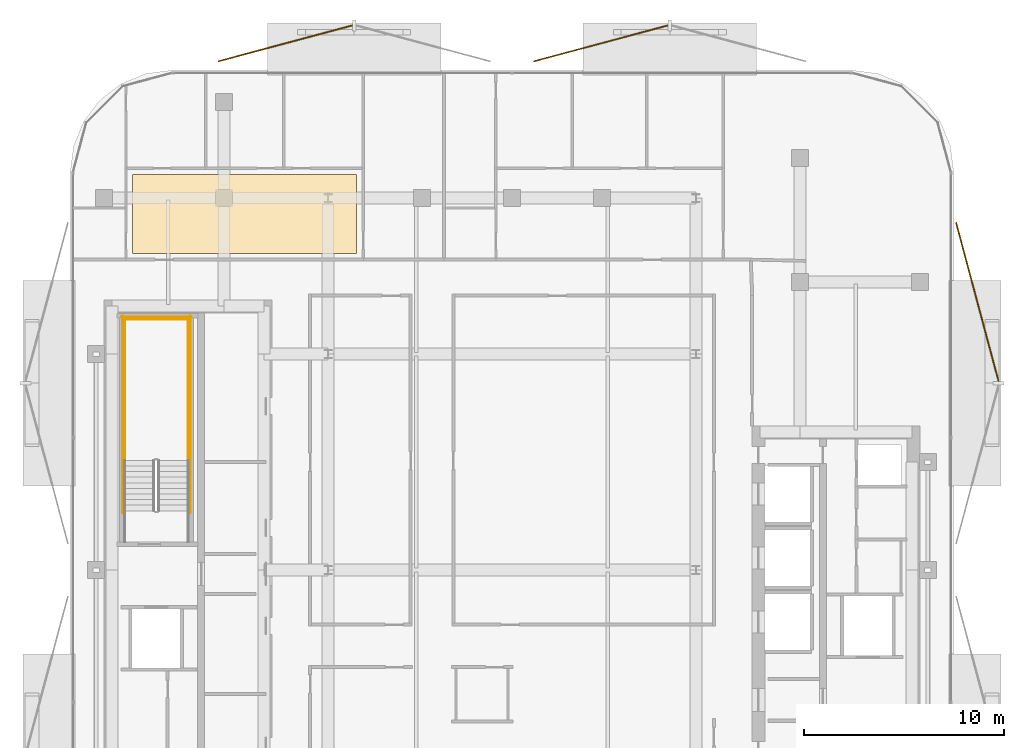
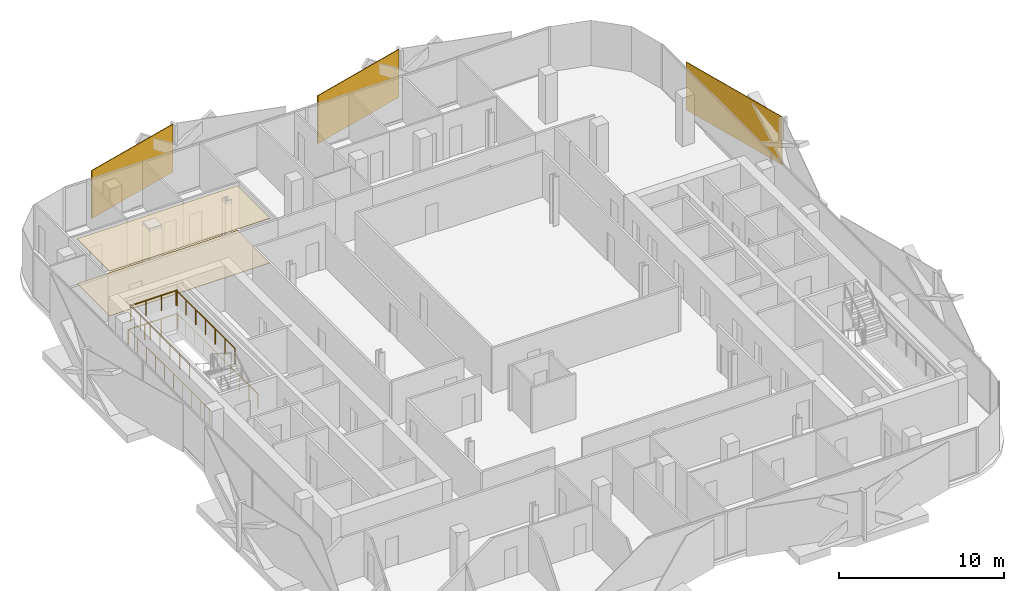
# One storey, part 15 of 15: 6 railings, 5 coverings.
"""IFC4 building model written with IfcOpenShell, lengths in metres."""

from ifc_helpers import new_model, si_unit, direction, frame, origin, origin_2d, place, context, subcontext, project, spatial, polyline, rectangle, circle, outline, extrude, material, layer, layer_set, type_object, element, save


model = new_model("IFC4")

# Units and contexts
model_context = context("Model", 3, precision=1e-05, world=origin(), true_north=direction((0.0, 1.0)))
body_context = subcontext(model_context, "Body", "Model", "MODEL_VIEW")
ifc_project = project(units=[si_unit("LENGTHUNIT", "METRE"), si_unit("AREAUNIT", "SQUARE_METRE"), si_unit("VOLUMEUNIT", "CUBIC_METRE"), si_unit("PLANEANGLEUNIT", "RADIAN"), si_unit("MASSUNIT", "GRAM", prefix="KILO")], contexts=[model_context])

# Site, building, storey
site_placement = place(None, origin())
site = spatial("IfcSite", under=ifc_project, at=site_placement, CompositionType="ELEMENT")
building_placement = place(site_placement, origin())
building = spatial("IfcBuilding", under=site, at=building_placement, Name="Khairoan Windgate Tower", CompositionType="ELEMENT")
storey_placement = place(building_placement, frame((0.0, 0.0, 226.0)))
storey = spatial("IfcBuildingStorey", under=building, at=storey_placement, Name="L52", CompositionType="ELEMENT", Elevation=226.0)

# Coverings
ifc_material_1 = material(Name="Engineered Teak Timber", Category="wood")
ifc_layer_1 = layer(ifc_material_1, 0.0400390625, Name="Engineered Teak Timber")
ifc_layer_set_1 = layer_set([ifc_layer_1], Name="Engineered Teak Timber")
covering_type_1 = type_object("IfcCoveringType", Name="Engineered Teak Residence Flooring", PredefinedType="FLOORING", material=ifc_layer_set_1)
covering_1_placement = place(storey_placement, origin())
element("IfcCovering", 1, at=covering_1_placement, inside=storey, type_object=covering_type_1, Name="L52 L52 Sky Apartment 1 Apartment Living Room Finish Flooring", PredefinedType="FLOORING", context=body_context, shape_type="SweptSolid", body=[
    extrude(outline(polyline([(-18.97998046875, 19.77001953125), (-7.77001953125, 19.77001953125), (-7.77001953125, 15.820068359375), (-18.97998046875, 15.820068359375), (-18.97998046875, 19.77001953125)])), origin(), (0.0, 0.0, 1.0), 0.0400390625),
])
ifc_material_2 = material(Name="Acoustic Mineral Fibre Ceiling", Category="gypsum")
ifc_layer_2 = layer(ifc_material_2, 0.0400390625, Name="Acoustic Mineral Fibre Ceiling")
ifc_layer_set_2 = layer_set([ifc_layer_2], Name="Acoustic Mineral Fibre Ceiling")
covering_type_2 = type_object("IfcCoveringType", Name="Flush Acoustic Mineral Ceiling Panel", PredefinedType="CEILING", material=ifc_layer_set_2)
covering_2_placement = place(storey_placement, frame((0.0, 0.0, 3.300048828125)))
element("IfcCovering", 2, at=covering_2_placement, inside=storey, type_object=covering_type_2, Name="L52 L52 Sky Apartment 1 Apartment Living Room Acoustic Ceiling", PredefinedType="CEILING", context=body_context, shape_type="SweptSolid", body=[
    extrude(outline(polyline([(-18.97998046875, 19.77001953125), (-7.77001953125, 19.77001953125), (-7.77001953125, 15.820068359375), (-18.97998046875, 15.820068359375), (-18.97998046875, 19.77001953125)])), origin(), (0.0, 0.0, 1.0), 0.0400390625),
])
ifc_material_3 = material(Name="Anodised Bronze Aluminium 6063-T6", Category="aluminium")
ifc_layer_3 = layer(ifc_material_3, 0.054931640625, Name="Anodised Bronze Aluminium 6063-T6")
ifc_layer_set_3 = layer_set([ifc_layer_3], Name="Anodised Bronze Aluminium 6063-T6")
covering_type_3 = type_object("IfcCoveringType", Name="Perforated Bronze-Ceramic Folded Solar Screen Cladding BSC-1", PredefinedType="CLADDING", material=ifc_layer_set_3)
for number, where, z_axis, x_axis, name in (
    (3, (-11.341064453125, 26.3408203125, -0.10009765625), (0.0, 0.0, 1.0), (0.965925826289, 0.258819045103, 0.0), "L52 Folded Bronze Solar Screen Facet 349L"),
    (4, (4.44970703125, 26.3408203125, -0.10009765625), (0.0, 0.0, 1.0), (0.965925826289, 0.258819045103, 0.0), "L52 Folded Bronze Solar Screen Facet 350L"),
):
    element("IfcCovering", number, at=place(storey_placement, frame(where, z_axis=z_axis, x_axis=x_axis)), inside=storey, type_object=covering_type_3, Name=name, PredefinedType="CLADDING", context=body_context, shape_type="SweptSolid", body=[
        extrude(rectangle(XDim=6.947998046875, YDim=0.054931640625, at=origin_2d()), origin(), (0.0, 0.0, 1.0), 3.5400390625),
    ])
covering_3_placement = place(storey_placement, frame((23.275634765625, 13.4072265625, -0.10009765625), z_axis=(0.0, 0.0, 1.0), x_axis=(0.258819045103, -0.965925826289, 0.0)))
element("IfcCovering", 5, at=covering_3_placement, inside=storey, type_object=covering_type_3, Name="L52 Folded Bronze Solar Screen Facet 351L", PredefinedType="CLADDING", context=body_context, shape_type="SweptSolid", body=[
    extrude(rectangle(XDim=8.22412109375, YDim=0.054931640625, at=origin_2d()), origin(), (0.0, 0.0, 1.0), 3.5400390625),
])

# Railings
ifc_material_4 = material(Name="Steel S355", Category="steel")
railing_type = type_object("IfcRailingType", Name="Stairwell Safety Guardrail SGR-1150", PredefinedType="GUARDRAIL", material=ifc_material_4)
for number, where, name in (
    (6, (-16.199951171875, 5.47998046875, 1.800048828125), "L52 ST2 stair guard 3"),
    (7, (-19.3701171875, 5.47998046875, 1.800048828125), "L52 ST2 stair guard 4"),
):
    element("IfcRailing", number, at=place(storey_placement, frame(where)), inside=storey, type_object=railing_type, Name=name, PredefinedType="GUARDRAIL", context=body_context, shape_type="SweptSolid", body=[
        extrude(circle(Radius=0.02392578125, at=origin_2d()), frame((0.0, 0.0, 1.1259765625), z_axis=(0.0, 1.0, 0.0), x_axis=(-1.0, 0.0, 0.0)), (0.0, 0.0, 1.0), 7.1201171875),
        extrude(circle(Radius=0.02099609375, at=origin_2d()), origin(), (0.0, 0.0, 1.0), 1.101806640625),
        extrude(circle(Radius=0.02099609375, at=origin_2d()), frame((0.0, 1.186767578125, 0.0)), (0.0, 0.0, 1.0), 1.101806640625),
        extrude(circle(Radius=0.02099609375, at=origin_2d()), frame((0.0, 2.373291015625, 0.0)), (0.0, 0.0, 1.0), 1.101806640625),
        extrude(circle(Radius=0.02099609375, at=origin_2d()), frame((0.0, 3.56005859375, 0.0)), (0.0, 0.0, 1.0), 1.101806640625),
        extrude(circle(Radius=0.02099609375, at=origin_2d()), frame((0.0, 4.746826171875, 0.0)), (0.0, 0.0, 1.0), 1.101806640625),
        extrude(circle(Radius=0.02099609375, at=origin_2d()), frame((0.0, 5.933349609375, 0.0)), (0.0, 0.0, 1.0), 1.101806640625),
        extrude(circle(Radius=0.02099609375, at=origin_2d()), frame((0.0, 7.1201171875, 0.0)), (0.0, 0.0, 1.0), 1.101806640625),
    ])
railing_1_placement = place(storey_placement, frame((-16.14990234375, 12.550048828125, 1.800048828125)))
element("IfcRailing", 8, at=railing_1_placement, inside=storey, type_object=railing_type, Name="L52 ST2 stair guard 5", PredefinedType="GUARDRAIL", context=body_context, shape_type="SweptSolid", body=[
    extrude(circle(Radius=0.02392578125, at=origin_2d()), frame((0.0, 0.0, 1.1259765625), z_axis=(-1.0, 0.0, 0.0), x_axis=(0.0, -1.0, 0.0)), (0.0, 0.0, 1.0), 3.27001953125),
    extrude(circle(Radius=0.02099609375, at=origin_2d()), origin(), (0.0, 0.0, 1.0), 1.101806640625),
    extrude(circle(Radius=0.02099609375, at=origin_2d()), frame((-1.090087890625, 0.0, 0.0)), (0.0, 0.0, 1.0), 1.101806640625),
    extrude(circle(Radius=0.02099609375, at=origin_2d()), frame((-2.179931640625, 0.0, 0.0)), (0.0, 0.0, 1.0), 1.101806640625),
    extrude(circle(Radius=0.02099609375, at=origin_2d()), frame((-3.27001953125, 0.0, 0.0)), (0.0, 0.0, 1.0), 1.101806640625),
])
for number, where, name in (
    (9, (-16.10009765625, 2.860107421875, 0.0), "L52 ST2 stair guard 10"),
    (10, (-19.469970703125, 2.860107421875, 0.0), "L52 ST2 stair guard 11"),
):
    element("IfcRailing", number, at=place(storey_placement, frame(where)), inside=storey, type_object=railing_type, Name=name, PredefinedType="GUARDRAIL", context=body_context, shape_type="SweptSolid", body=[
        extrude(circle(Radius=0.02392578125, at=origin_2d()), frame((0.0, 0.0, 1.1259765625), z_axis=(0.0, 1.0, 0.0), x_axis=(-1.0, 0.0, 0.0)), (0.0, 0.0, 1.0), 9.83984375),
        extrude(circle(Radius=0.02099609375, at=origin_2d()), origin(), (0.0, 0.0, 1.0), 1.101806640625),
        extrude(circle(Radius=0.02099609375, at=origin_2d()), frame((0.0, 1.09326171875, 0.0)), (0.0, 0.0, 1.0), 1.101806640625),
        extrude(circle(Radius=0.02099609375, at=origin_2d()), frame((0.0, 2.1865234375, 0.0)), (0.0, 0.0, 1.0), 1.101806640625),
        extrude(circle(Radius=0.02099609375, at=origin_2d()), frame((0.0, 3.280029296875, 0.0)), (0.0, 0.0, 1.0), 1.101806640625),
        extrude(circle(Radius=0.02099609375, at=origin_2d()), frame((0.0, 4.373291015625, 0.0)), (0.0, 0.0, 1.0), 1.101806640625),
        extrude(circle(Radius=0.02099609375, at=origin_2d()), frame((0.0, 5.466552734375, 0.0)), (0.0, 0.0, 1.0), 1.101806640625),
        extrude(circle(Radius=0.02099609375, at=origin_2d()), frame((0.0, 6.559814453125, 0.0)), (0.0, 0.0, 1.0), 1.101806640625),
        extrude(circle(Radius=0.02099609375, at=origin_2d()), frame((0.0, 7.6533203125, 0.0)), (0.0, 0.0, 1.0), 1.101806640625),
        extrude(circle(Radius=0.02099609375, at=origin_2d()), frame((0.0, 8.74658203125, 0.0)), (0.0, 0.0, 1.0), 1.101806640625),
        extrude(circle(Radius=0.02099609375, at=origin_2d()), frame((0.0, 9.83984375, 0.0)), (0.0, 0.0, 1.0), 1.101806640625),
    ])
railing_2_placement = place(storey_placement, frame((-16.050048828125, 12.64990234375, 0.0)))
element("IfcRailing", 11, at=railing_2_placement, inside=storey, type_object=railing_type, Name="L52 ST2 stair guard 12", PredefinedType="GUARDRAIL", context=body_context, shape_type="SweptSolid", body=[
    extrude(circle(Radius=0.02392578125, at=origin_2d()), frame((0.0, 0.0, 1.1259765625), z_axis=(-1.0, 0.0, 0.0), x_axis=(0.0, -1.0, 0.0)), (0.0, 0.0, 1.0), 3.469970703125),
    extrude(circle(Radius=0.02099609375, at=origin_2d()), origin(), (0.0, 0.0, 1.0), 1.101806640625),
    extrude(circle(Radius=0.02099609375, at=origin_2d()), frame((-1.15673828125, 0.0, 0.0)), (0.0, 0.0, 1.0), 1.101806640625),
    extrude(circle(Radius=0.02099609375, at=origin_2d()), frame((-2.313232421875, 0.0, 0.0)), (0.0, 0.0, 1.0), 1.101806640625),
    extrude(circle(Radius=0.02099609375, at=origin_2d()), frame((-3.469970703125, 0.0, 0.0)), (0.0, 0.0, 1.0), 1.101806640625),
])

save(model, "model.ifc")
